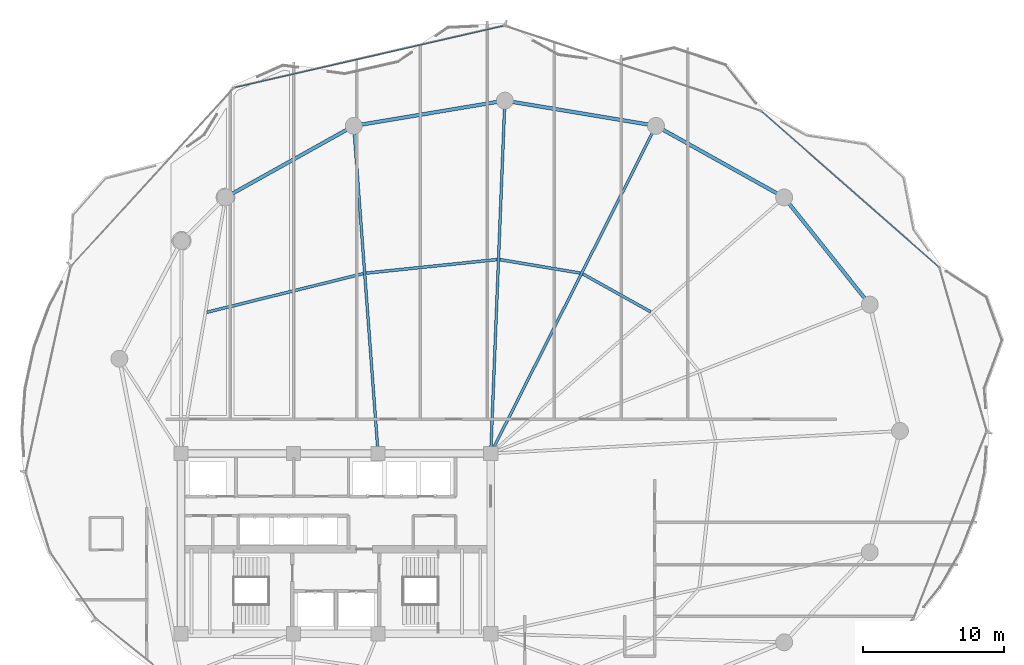
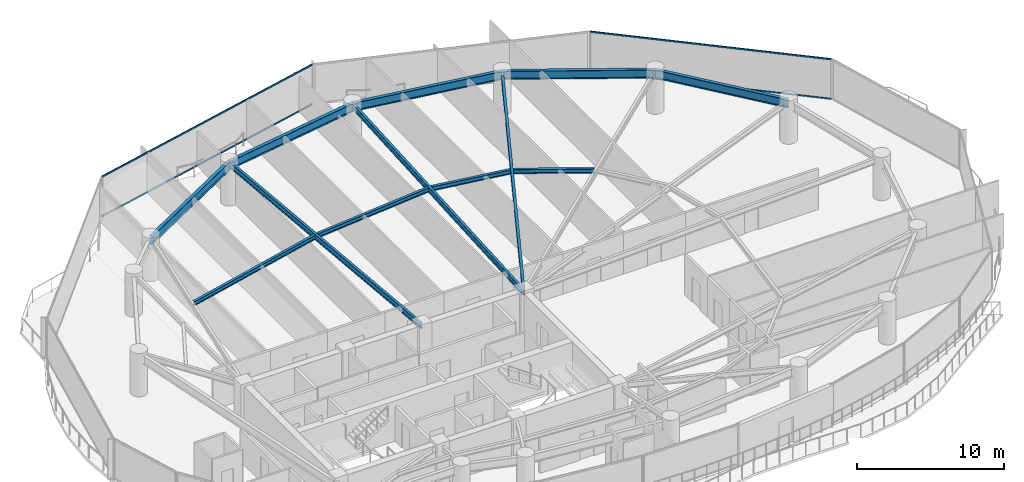
# One storey, part 20 of 34: 12 beams, 4 members, 2 elements without a shape of their own.
"""IFC4 building model written with IfcOpenShell, lengths in metres."""

from ifc_helpers import new_model, si_unit, direction, frame, origin, origin_2d, place, context, subcontext, project, spatial, hollow_rectangle, i_section, extrude, material, layer, layer_set, material_profile, profile_set, type_object, element, aggregate, save


model = new_model("IFC4")

# Units and contexts
model_context = context("Model", 3, precision=1e-05, world=origin(), true_north=direction((0.0, 1.0)))
body_context = subcontext(model_context, "Body", "Model", "MODEL_VIEW")
ifc_project = project(units=[si_unit("LENGTHUNIT", "METRE"), si_unit("AREAUNIT", "SQUARE_METRE"), si_unit("VOLUMEUNIT", "CUBIC_METRE"), si_unit("PLANEANGLEUNIT", "RADIAN"), si_unit("MASSUNIT", "GRAM", prefix="KILO")], contexts=[model_context])

# Site, building, storey
site_placement = place(None, origin())
site = spatial("IfcSite", under=ifc_project, at=site_placement, CompositionType="ELEMENT")
building_placement = place(site_placement, origin())
building = spatial("IfcBuilding", under=site, at=building_placement, Name="Kazevale Care Tower and Concert Hall", CompositionType="ELEMENT")
storey_placement = place(building_placement, frame((0.0, 0.0, 171.0)))
storey = spatial("IfcBuildingStorey", under=building, at=storey_placement, Name="L45", CompositionType="ELEMENT", Elevation=171.0)

# Curtain wall, members
ifc_material_1 = material(Name="Aluminium 6063-T6 and Low-E Glass", Category="aluminium")
ifc_layer = layer(ifc_material_1, 0.179931640625)
ifc_layer_set = layer_set([ifc_layer], Name="Aluminium 6063-T6 and Low-E Glass")
curtain_wall_type = type_object("IfcCurtainWallType", Name="Convex Recessed Sunroom Curtain Wall CW-3", PredefinedType="NOTDEFINED", material=ifc_layer_set)
curtain_wall_1_placement = place(storey_placement, origin())
curtain_wall_1 = element("IfcCurtainWall", 1, at=curtain_wall_1_placement, inside=storey, type_object=curtain_wall_type, Name="cw:L45:f15", PredefinedType="NOTDEFINED")
ifc_material_2 = material(Name="Aluminium 6063-T6", Category="aluminium")
ifc_material_profile_1 = material_profile(ifc_material_2, hollow_rectangle(XDim=0.074951171875, YDim=0.1201171875, WallThickness=0.00390625, at=origin_2d()), Name="ALU75x120x4")
ifc_profile_set_1 = profile_set([ifc_material_profile_1], Name="Aluminium 6063-T6")
member_type = type_object("IfcMemberType", Name="CW-3 Transom ALU75x120x4", PredefinedType="USERDEFINED", material=ifc_profile_set_1)
member_1_placement = place(storey_placement, frame((25.857177734375, 62.38671875, 0.03759765625), z_axis=(0.974688165128, 0.22356873833, 0.0), x_axis=(-0.22356873833, 0.974688165128, 0.0)))
member_1 = element("IfcMember", 2, at=member_1_placement, type_object=member_type, Name="CW-3 transom 1.1", ObjectType="TRANSOM", PredefinedType="USERDEFINED", context=body_context, shape_type="SweptSolid", body=[
    extrude(hollow_rectangle(XDim=0.074951171875, YDim=0.1201171875, WallThickness=0.00390625, at=origin_2d()), origin(), (0.0, 0.0, 1.0), 19.52197265625),
])
member_2_placement = place(storey_placement, frame((25.857177734375, 62.38671875, 3.322509765625), z_axis=(0.974688165128, 0.22356873833, 0.0), x_axis=(-0.22356873833, 0.974688165128, 0.0)))
member_2 = element("IfcMember", 3, at=member_2_placement, type_object=member_type, Name="CW-3 transom 1.2", ObjectType="TRANSOM", PredefinedType="USERDEFINED", context=body_context, shape_type="SweptSolid", body=[
    extrude(hollow_rectangle(XDim=0.074951171875, YDim=0.1201171875, WallThickness=0.00390625, at=origin_2d()), origin(), (0.0, 0.0, 1.0), 19.52197265625),
])
aggregate(curtain_wall_1, [member_1, member_2])

curtain_wall_2_placement = place(storey_placement, origin())
curtain_wall_2 = element("IfcCurtainWall", 4, at=curtain_wall_2_placement, inside=storey, type_object=curtain_wall_type, Name="cw:L45:f17", PredefinedType="NOTDEFINED")
member_3_placement = place(storey_placement, frame((63.2392578125, 60.672607421875, 0.03759765625), z_axis=(0.751360456021, -0.659892010202, 0.0), x_axis=(0.659892010202, 0.751360456021, 0.0)))
member_3 = element("IfcMember", 5, at=member_3_placement, type_object=member_type, Name="CW-3 transom 1.1", ObjectType="TRANSOM", PredefinedType="USERDEFINED", context=body_context, shape_type="SweptSolid", body=[
    extrude(hollow_rectangle(XDim=0.074951171875, YDim=0.1201171875, WallThickness=0.00390625, at=origin_2d()), origin(), (0.0, 0.0, 1.0), 16.72998046875),
])
member_4_placement = place(storey_placement, frame((63.2392578125, 60.672607421875, 3.322509765625), z_axis=(0.751360456021, -0.659892010202, 0.0), x_axis=(0.659892010202, 0.751360456021, 0.0)))
member_4 = element("IfcMember", 6, at=member_4_placement, type_object=member_type, Name="CW-3 transom 1.2", ObjectType="TRANSOM", PredefinedType="USERDEFINED", context=body_context, shape_type="SweptSolid", body=[
    extrude(hollow_rectangle(XDim=0.074951171875, YDim=0.1201171875, WallThickness=0.00390625, at=origin_2d()), origin(), (0.0, 0.0, 1.0), 16.72998046875),
])
aggregate(curtain_wall_2, [member_3, member_4])

# Beams
ifc_material_3 = material(Name="Steel ASTM A572 Gr 50", Category="steel")
ifc_material_profile_2 = material_profile(ifc_material_3, i_section(OverallWidth=0.19091796875, OverallDepth=0.4599609375, WebThickness=0.010009765625, FlangeThickness=0.01611328125, at=origin_2d()), Name="W460x82")
ifc_profile_set_2 = profile_set([ifc_material_profile_2], Name="Steel ASTM A572 Gr 50")
beam_type_1 = type_object("IfcBeamType", Name="Radial Floor Beam W460x82", PredefinedType="BEAM", material=ifc_profile_set_2)
beam_1_placement = place(storey_placement, frame((44.0, 36.39990234375, 3.1298828125), z_axis=(0.450281187568, 0.892886808124, 0.0), x_axis=(-0.892886808124, 0.450281187568, 0.0)))
element("IfcBeam", 7, at=beam_1_placement, inside=storey, type_object=beam_type_1, Name="beam:L45:rad:04", PredefinedType="BEAM", context=body_context, shape_type="SweptSolid", body=[
    extrude(i_section(OverallWidth=0.19091796875, OverallDepth=0.4599609375, WebThickness=0.010009765625, FlangeThickness=0.01611328125, at=origin_2d()), origin(), (0.0, 0.0, 1.0), 26.05029296875),
])
beam_2_placement = place(storey_placement, frame((44.0, 36.39990234375, 3.1298828125), z_axis=(0.039888311255, 0.99920414462, 0.0), x_axis=(-0.99920414462, 0.039888311255, 0.0)))
element("IfcBeam", 8, at=beam_2_placement, inside=storey, type_object=beam_type_1, Name="beam:L45:rad:05", PredefinedType="BEAM", context=body_context, shape_type="SweptSolid", body=[
    extrude(i_section(OverallWidth=0.19091796875, OverallDepth=0.4599609375, WebThickness=0.010009765625, FlangeThickness=0.01611328125, at=origin_2d()), origin(), (0.0, 0.0, 1.0), 25.070068359375),
])
beam_3_placement = place(storey_placement, frame((36.0, 36.39990234375, 3.1298828125), z_axis=(-0.074170876808, 0.997245547011, 0.0), x_axis=(-0.997245547011, -0.074170876808, 0.0)))
element("IfcBeam", 9, at=beam_3_placement, inside=storey, type_object=beam_type_1, Name="beam:L45:rad:06", PredefinedType="BEAM", context=body_context, shape_type="SweptSolid", body=[
    extrude(i_section(OverallWidth=0.19091796875, OverallDepth=0.4599609375, WebThickness=0.010009765625, FlangeThickness=0.01611328125, at=origin_2d()), origin(), (0.0, 0.0, 1.0), 23.32421875),
])
ifc_material_profile_3 = material_profile(ifc_material_3, i_section(OverallWidth=0.205078125, OverallDepth=0.35400390625, WebThickness=0.009521484375, FlangeThickness=0.016845703125, at=origin_2d()), Name="W360x79")
ifc_profile_set_3 = profile_set([ifc_material_profile_3], Name="Steel ASTM A572 Gr 50")
beam_type_2 = type_object("IfcBeamType", Name="Secondary Floor Joist W360x79", PredefinedType="JOIST", material=ifc_profile_set_3)
beam_4_placement = place(storey_placement, frame((55.364990234375, 46.449951171875, 3.18310546875), z_axis=(-0.873137755824, 0.487473547338, 0.0), x_axis=(-0.487473547338, -0.873137755824, 0.0)))
element("IfcBeam", 10, at=beam_4_placement, inside=storey, type_object=beam_type_2, Name="beam:L45:joist:03", PredefinedType="JOIST", context=body_context, shape_type="SweptSolid", body=[
    extrude(i_section(OverallWidth=0.205078125, OverallDepth=0.35400390625, WebThickness=0.009521484375, FlangeThickness=0.016845703125, at=origin_2d()), origin(), (0.0, 0.0, 1.0), 5.522705078125),
])
beam_5_placement = place(storey_placement, frame((50.347900390625, 49.2099609375, 3.18310546875), z_axis=(-0.986366476547, 0.164563586324, 0.0), x_axis=(-0.164563586324, -0.986366476547, 0.0)))
element("IfcBeam", 11, at=beam_5_placement, inside=storey, type_object=beam_type_2, Name="beam:L45:joist:04", PredefinedType="JOIST", context=body_context, shape_type="SweptSolid", body=[
    extrude(i_section(OverallWidth=0.205078125, OverallDepth=0.35400390625, WebThickness=0.009521484375, FlangeThickness=0.016845703125, at=origin_2d()), origin(), (0.0, 0.0, 1.0), 5.7724609375),
])
beam_6_placement = place(storey_placement, frame((44.446044921875, 50.1669921875, 3.18310546875), z_axis=(-0.994674810104, -0.10306319491, 0.0), x_axis=(0.10306319491, -0.994674810104, 0.0)))
element("IfcBeam", 12, at=beam_6_placement, inside=storey, type_object=beam_type_2, Name="beam:L45:joist:05", PredefinedType="JOIST", context=body_context, shape_type="SweptSolid", body=[
    extrude(i_section(OverallWidth=0.205078125, OverallDepth=0.35400390625, WebThickness=0.009521484375, FlangeThickness=0.016845703125, at=origin_2d()), origin(), (0.0, 0.0, 1.0), 9.3427734375),
])
beam_7_placement = place(storey_placement, frame((34.947021484375, 49.16796875, 3.18310546875), z_axis=(-0.970789504014, -0.239932779954, 0.0), x_axis=(0.239932779954, -0.970789504014, 0.0)))
element("IfcBeam", 13, at=beam_7_placement, inside=storey, type_object=beam_type_2, Name="beam:L45:joist:06", PredefinedType="JOIST", context=body_context, shape_type="SweptSolid", body=[
    extrude(i_section(OverallWidth=0.205078125, OverallDepth=0.35400390625, WebThickness=0.009521484375, FlangeThickness=0.016845703125, at=origin_2d()), origin(), (0.0, 0.0, 1.0), 11.43603515625),
])
ifc_material_profile_4 = material_profile(ifc_material_3, i_section(OverallWidth=0.256103515625, OverallDepth=0.693115234375, WebThickness=0.014404296875, FlangeThickness=0.023681640625, at=origin_2d()), Name="W690x170")
ifc_profile_set_4 = profile_set([ifc_material_profile_4], Name="Steel ASTM A572 Gr 50")
beam_type_3 = type_object("IfcBeamType", Name="Waist Ring Beam W690x170", PredefinedType="BEAM", material=ifc_profile_set_4)
beam_8_placement = place(storey_placement, frame((70.909912109375, 46.969970703125, 3.013427734375), z_axis=(-0.624178340034, 0.781281895242, 0.0), x_axis=(-0.781281895242, -0.624178340034, 0.0)))
element("IfcBeam", 14, at=beam_8_placement, inside=storey, type_object=beam_type_3, Name="beam:L45:ring:02", PredefinedType="BEAM", context=body_context, shape_type="SweptSolid", body=[
    extrude(i_section(OverallWidth=0.256103515625, OverallDepth=0.693115234375, WebThickness=0.014404296875, FlangeThickness=0.023681640625, at=origin_2d()), origin(), (0.0, 0.0, 1.0), 9.740478515625),
])
beam_9_placement = place(storey_placement, frame((64.830078125, 54.580078125, 3.013427734375), z_axis=(-0.873168720251, 0.487418081297, 0.0), x_axis=(-0.487418081297, -0.873168720251, 0.0)))
element("IfcBeam", 15, at=beam_9_placement, inside=storey, type_object=beam_type_3, Name="beam:L45:ring:03", PredefinedType="BEAM", context=body_context, shape_type="SweptSolid", body=[
    extrude(i_section(OverallWidth=0.256103515625, OverallDepth=0.693115234375, WebThickness=0.014404296875, FlangeThickness=0.023681640625, at=origin_2d()), origin(), (0.0, 0.0, 1.0), 10.421875),
])
for number, where, z_axis, x_axis, name in (
    (16, (55.72998046875, 59.659912109375, 3.013427734375), (-0.986368436187, 0.164551840139, 0.0), (-0.164551840139, -0.986368436187, 0.0), "beam:L45:ring:04"),
    (17, (45.0, 61.449951171875, 3.013427734375), (-0.986368436187, -0.164551840139, 0.0), (0.164551840139, -0.986368436187, 0.0), "beam:L45:ring:05"),
):
    element("IfcBeam", number, at=place(storey_placement, frame(where, z_axis=z_axis, x_axis=x_axis)), inside=storey, type_object=beam_type_3, Name=name, PredefinedType="BEAM", context=body_context, shape_type="SweptSolid", body=[
        extrude(i_section(OverallWidth=0.256103515625, OverallDepth=0.693115234375, WebThickness=0.014404296875, FlangeThickness=0.023681640625, at=origin_2d()), origin(), (0.0, 0.0, 1.0), 10.878173828125),
    ])
beam_10_placement = place(storey_placement, frame((34.27001953125, 59.659912109375, 3.013427734375), z_axis=(-0.873168720251, -0.487418081297, 0.0), x_axis=(0.487418081297, -0.873168720251, 0.0)))
element("IfcBeam", 18, at=beam_10_placement, inside=storey, type_object=beam_type_3, Name="beam:L45:ring:06", PredefinedType="BEAM", context=body_context, shape_type="SweptSolid", body=[
    extrude(i_section(OverallWidth=0.256103515625, OverallDepth=0.693115234375, WebThickness=0.014404296875, FlangeThickness=0.023681640625, at=origin_2d()), origin(), (0.0, 0.0, 1.0), 10.421875),
])

save(model, "model.ifc")
